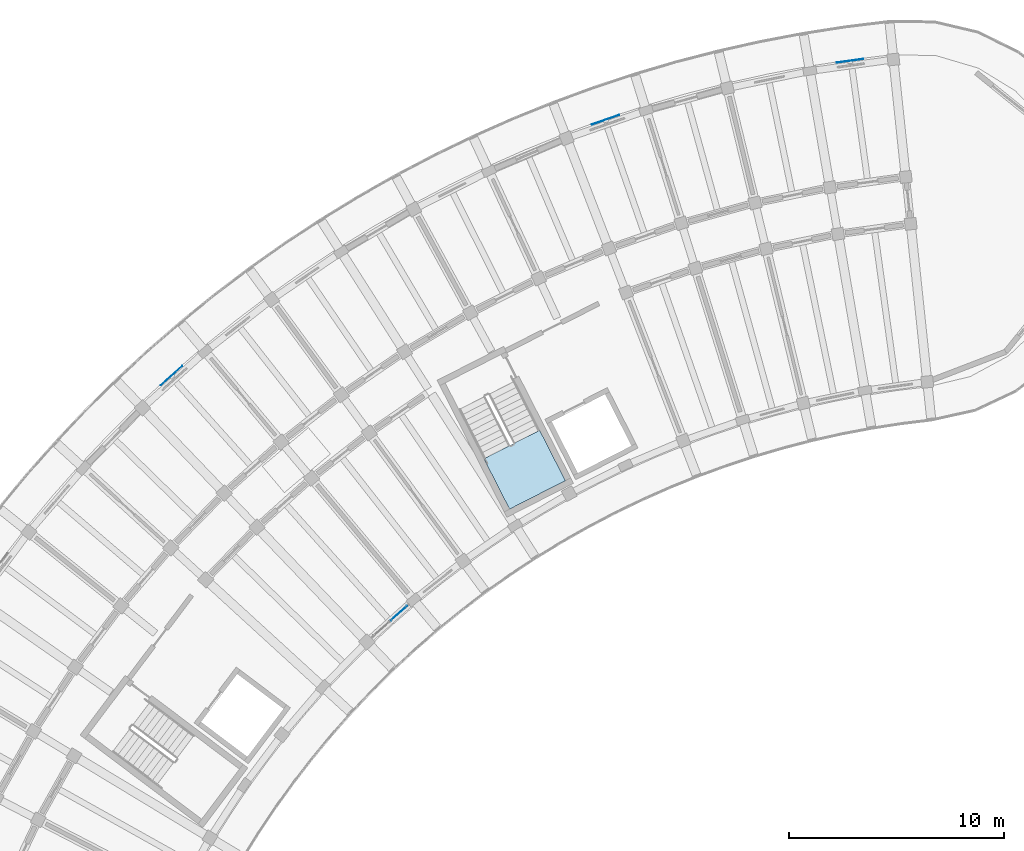
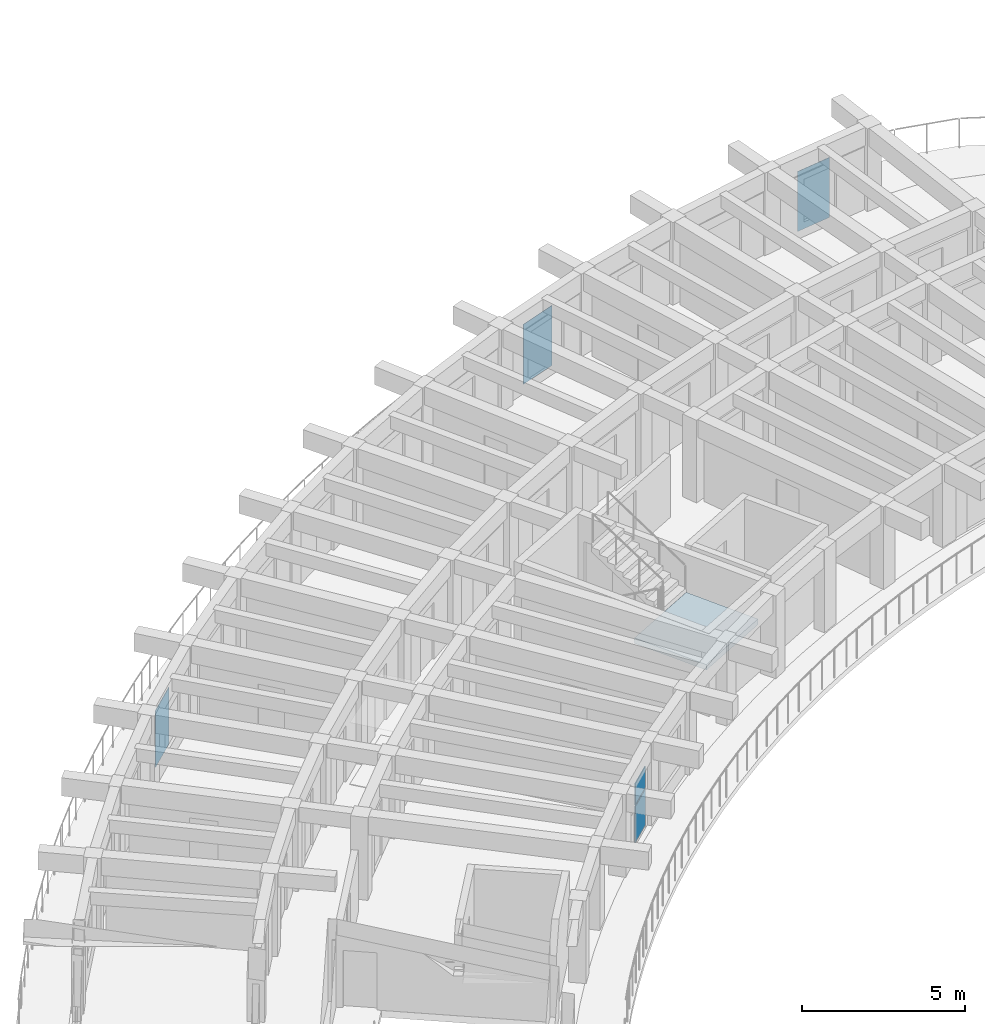
# One storey, part 28 of 81: 5 plates, 1 slab, 2 elements without a shape of their own.
"""IFC4 building model written with IfcOpenShell, lengths in metres."""

from ifc_helpers import new_model, si_unit, direction, frame, origin, origin_2d, place, context, subcontext, project, spatial, polyline, rectangle, outline, extrude, material, layer, layer_set, type_object, element, aggregate, save


model = new_model("IFC4")

# Units and contexts
model_context = context("Model", 3, precision=1e-05, world=origin(), true_north=direction((0.0, 1.0)))
body_context = subcontext(model_context, "Body", "Model", "MODEL_VIEW")
ifc_project = project(units=[si_unit("LENGTHUNIT", "METRE"), si_unit("AREAUNIT", "SQUARE_METRE"), si_unit("VOLUMEUNIT", "CUBIC_METRE"), si_unit("PLANEANGLEUNIT", "RADIAN"), si_unit("MASSUNIT", "GRAM", prefix="KILO")], contexts=[model_context])

# Site, building, storey
site_placement = place(None, origin())
site = spatial("IfcSite", under=ifc_project, at=site_placement, CompositionType="ELEMENT")
building_placement = place(site_placement, origin())
building = spatial("IfcBuilding", under=site, at=building_placement, Name="Tanwirah Colonnade Gardens", CompositionType="ELEMENT")
storey_placement = place(building_placement, frame((0.0, 0.0, 8.840087890625)))
storey = spatial("IfcBuildingStorey", under=building, at=storey_placement, Name="L02", CompositionType="ELEMENT", Elevation=8.840087890625)

# Curtain wall, plates
ifc_material_1 = material(Name="Bronze-anodised aluminium and solar-control low-E glass", Category="aluminium")
curtain_wall_type = type_object("IfcCurtainWallType", Name="CW-GDN", PredefinedType="NOTDEFINED", material=ifc_material_1)
curtain_wall_placement = place(storey_placement, origin())
curtain_wall = element("IfcCurtainWall", 1, at=curtain_wall_placement, inside=storey, type_object=curtain_wall_type, Name="Curtain Wall CW-A-L02-IN-09", PredefinedType="NOTDEFINED")
ifc_material_2 = material(Name="Acoustic solar-control low-E double glazing", Category="glass")
ifc_layer_1 = layer(ifc_material_2, 0.031982421875)
ifc_layer_set_1 = layer_set([ifc_layer_1], Name="Acoustic solar-control low-E double glazing")
plate_type_1 = type_object("IfcPlateType", Name="CWP-GLZ32", PredefinedType="CURTAIN_PANEL", material=ifc_layer_set_1)
plate_1_placement = place(storey_placement, frame((35.735595703125, 93.629638671875, 0.070068359375), z_axis=(0.0, 0.0, 1.0), x_axis=(-0.744440162253, -0.667689182798, 0.0)))
plate_1 = element("IfcPlate", 2, at=plate_1_placement, type_object=plate_type_1, Name="CW-GDN panel 1.1", PredefinedType="CURTAIN_PANEL", context=body_context, shape_type="SweptSolid", body=[
    extrude(rectangle(XDim=1.000244140625, YDim=0.031982421875, at=origin_2d()), origin(), (0.0, 0.0, 1.0), 1.35498046875),
])
plate_2_placement = place(storey_placement, frame((35.735595703125, 93.629638671875, 1.4951171875), z_axis=(0.0, 0.0, 1.0), x_axis=(-0.744440162253, -0.667689182798, 0.0)))
plate_2 = element("IfcPlate", 3, at=plate_2_placement, type_object=plate_type_1, Name="CW-GDN panel 1.2", PredefinedType="CURTAIN_PANEL", context=body_context, shape_type="SweptSolid", body=[
    extrude(rectangle(XDim=1.000244140625, YDim=0.031982421875, at=origin_2d()), origin(), (0.0, 0.0, 1.0), 0.789794921875),
])
aggregate(curtain_wall, [plate_1, plate_2])

# Plates
ifc_material_3 = material(Name="Laser-cut bronze aluminium solar screen plate", Category="aluminium")
ifc_layer_2 = layer(ifc_material_3, 0.01611328125)
ifc_layer_set_2 = layer_set([ifc_layer_2], Name="Laser-cut bronze aluminium solar screen plate")
plate_type_2 = type_object("IfcPlateType", Name="PLT-SCR16", PredefinedType="SHEET", material=ifc_layer_set_2)
plate_3_placement = place(storey_placement, frame((56.759033203125, 119.364013671875, 0.0), z_axis=(0.0, 0.0, 1.0), x_axis=(-0.990536278911, -0.137251157233, 0.0)))
element("IfcPlate", 4, at=plate_3_placement, inside=storey, type_object=plate_type_2, Name="Perforated solar screen plate A-L02-00", PredefinedType="SHEET", context=body_context, shape_type="SweptSolid", body=[
    extrude(rectangle(XDim=1.25, YDim=0.01611328125, at=origin_2d()), origin(), (0.0, 0.0, 1.0), 2.25),
])
plate_4_placement = place(storey_placement, frame((45.373291015625, 116.618896484375, 0.0), z_axis=(0.0, 0.0, 1.0), x_axis=(-0.944248569489, -0.329233411151, 0.0)))
element("IfcPlate", 5, at=plate_4_placement, inside=storey, type_object=plate_type_2, Name="Perforated solar screen plate A-L02-03", PredefinedType="SHEET", context=body_context, shape_type="SweptSolid", body=[
    extrude(rectangle(XDim=1.35009765625, YDim=0.01611328125, at=origin_2d()), origin(), (0.0, 0.0, 1.0), 2.25),
])
plate_5_placement = place(storey_placement, frame((25.147216796875, 104.69775390625, 0.0), z_axis=(0.0, 0.0, 1.0), x_axis=(-0.744443246346, -0.667685744172, 0.0)))
element("IfcPlate", 6, at=plate_5_placement, inside=storey, type_object=plate_type_2, Name="Perforated solar screen plate A-L02-09", PredefinedType="SHEET", context=body_context, shape_type="SweptSolid", body=[
    extrude(rectangle(XDim=1.35009765625, YDim=0.01611328125, at=origin_2d()), origin(), (0.0, 0.0, 1.0), 2.135009765625),
])

# Stair, slab
ifc_material_4 = material(Name="Precast concrete C40/50", Category="concrete")
stair_type = type_object("IfcStairType", Name="ST-RES168", PredefinedType="HALF_TURN_STAIR", material=ifc_material_4)
stair_placement = place(storey_placement, origin())
stair = element("IfcStair", 7, at=stair_placement, inside=storey, type_object=stair_type, Name="L02 Block A Core 1 Exit Stair", PredefinedType="HALF_TURN_STAIR")
ifc_layer_3 = layer(ifc_material_4, 0.205078125)
ifc_layer_set_3 = layer_set([ifc_layer_3], Name="Precast concrete C40/50")
slab_type = type_object("IfcSlabType", Name="SL-LND-205", PredefinedType="LANDING", material=ifc_layer_set_3)
slab_placement = place(storey_placement, frame((0.0, 0.0, 1.474853515625)))
slab = element("IfcSlab", 8, at=slab_placement, type_object=slab_type, Name="ST-A1 landing 1", PredefinedType="LANDING", context=body_context, shape_type="SweptSolid", body=[
    extrude(outline(polyline([(39.6982421875, 100.826171875), (40.89453125, 98.478515625), (43.496337890625, 99.80419921875), (42.300048828125, 102.15185546875), (39.6982421875, 100.826171875)])), origin(), (0.0, 0.0, 1.0), 0.205078125),
])
aggregate(stair, [slab])

save(model, "model.ifc")
